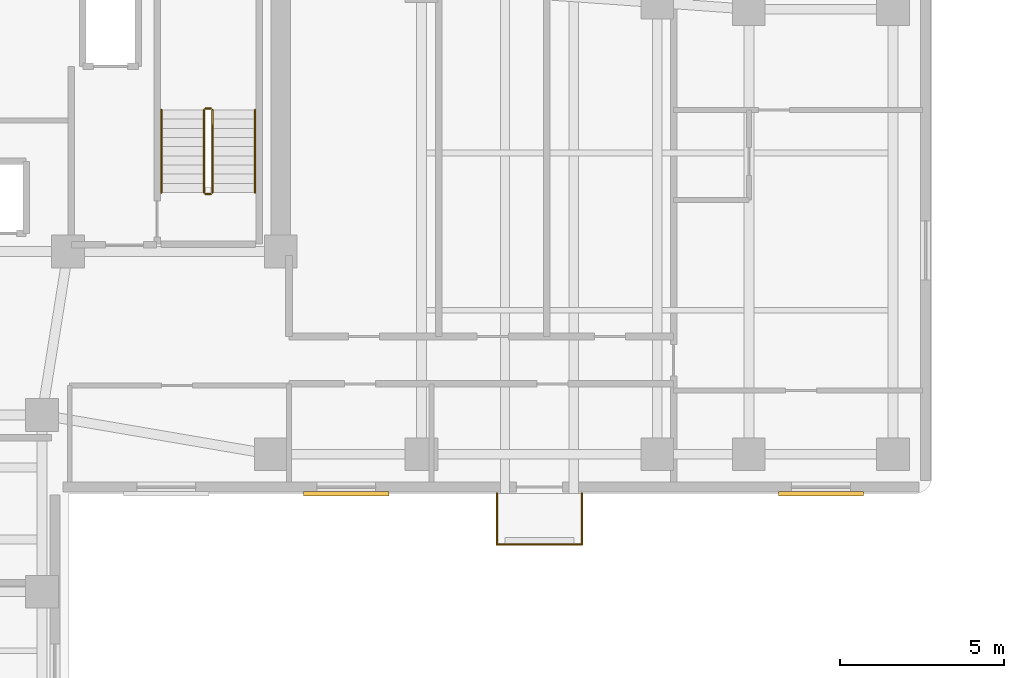
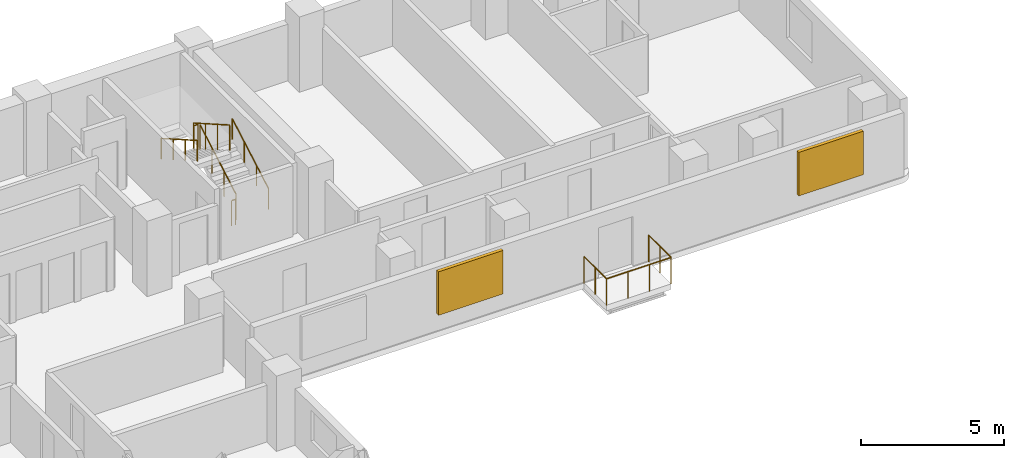
# One storey, part 7 of 8: 9 railings, 2 shading devices.
"""IFC4 building model written with IfcOpenShell, lengths in metres."""

from ifc_helpers import new_model, si_unit, direction, frame, origin, origin_2d, place, context, subcontext, project, spatial, rectangle, circle, extrude, material, layer, layer_set, type_object, element, save


model = new_model("IFC4")

# Units and contexts
model_context = context("Model", 3, precision=1e-05, world=origin(), true_north=direction((0.0, 1.0)))
body_context = subcontext(model_context, "Body", "Model", "MODEL_VIEW")
ifc_project = project(units=[si_unit("LENGTHUNIT", "METRE"), si_unit("AREAUNIT", "SQUARE_METRE"), si_unit("VOLUMEUNIT", "CUBIC_METRE"), si_unit("PLANEANGLEUNIT", "RADIAN"), si_unit("MASSUNIT", "GRAM", prefix="KILO")], contexts=[model_context])

# Site, building, storey
site_placement = place(None, origin())
site = spatial("IfcSite", under=ifc_project, at=site_placement, CompositionType="ELEMENT")
building_placement = place(site_placement, origin())
building = spatial("IfcBuilding", under=site, at=building_placement, Name="Kuzgunbayir Cultural Tower", CompositionType="ELEMENT")
storey_placement = place(building_placement, frame((0.0, 0.0, 107.39990234375)))
storey = spatial("IfcBuildingStorey", under=building, at=storey_placement, Name="L30", CompositionType="ELEMENT", Elevation=107.39990234375)

# Railings
ifc_material_1 = material(Name="Laminated Glass and Stainless Steel", Category="steel")
ifc_layer_1 = layer(ifc_material_1, 0.080078125)
ifc_layer_set_1 = layer_set([ifc_layer_1], Name="Laminated Glass and Stainless Steel")
railing_type_1 = type_object("IfcRailingType", Name="RLG-BAL-115", PredefinedType="BALUSTRADE", material=ifc_layer_set_1)
railing_1_placement = place(storey_placement, frame((33.5, 26.39990234375, 0.0)))
element("IfcRailing", 1, at=railing_1_placement, inside=storey, type_object=railing_type_1, Name="L30 Balcony Guard BAL-L30-WB2 Segment 1", PredefinedType="BALUSTRADE", context=body_context, shape_type="SweptSolid", body=[
    extrude(circle(Radius=0.02392578125, at=origin_2d()), frame((0.0, 0.0, 1.1259765625), z_axis=(0.0, -1.0, 0.0), x_axis=(1.0, 0.0, 0.0)), (0.0, 0.0, 1.0), 1.559814453125),
    extrude(circle(Radius=0.02099609375, at=origin_2d()), origin(), (0.0, 0.0, 1.0), 1.101806640625),
    extrude(circle(Radius=0.02099609375, at=origin_2d()), frame((0.0, -0.77978515625, 0.0)), (0.0, 0.0, 1.0), 1.101806640625),
    extrude(circle(Radius=0.02099609375, at=origin_2d()), frame((0.0, -1.559814453125, 0.0)), (0.0, 0.0, 1.0), 1.101806640625),
])
railing_2_placement = place(storey_placement, frame((33.5, 24.840087890625, 0.0)))
element("IfcRailing", 2, at=railing_2_placement, inside=storey, type_object=railing_type_1, Name="L30 Balcony Guard BAL-L30-WB2 Segment 2", PredefinedType="BALUSTRADE", context=body_context, shape_type="SweptSolid", body=[
    extrude(circle(Radius=0.02392578125, at=origin_2d()), frame((0.0, 0.0, 1.1259765625), z_axis=(1.0, 0.0, 0.0), x_axis=(0.0, 1.0, 0.0)), (0.0, 0.0, 1.0), 2.60009765625),
    extrude(circle(Radius=0.02099609375, at=origin_2d()), origin(), (0.0, 0.0, 1.0), 1.101806640625),
    extrude(circle(Radius=0.02099609375, at=origin_2d()), frame((0.86669921875, 0.0, 0.0)), (0.0, 0.0, 1.0), 1.101806640625),
    extrude(circle(Radius=0.02099609375, at=origin_2d()), frame((1.7333984375, 0.0, 0.0)), (0.0, 0.0, 1.0), 1.101806640625),
    extrude(circle(Radius=0.02099609375, at=origin_2d()), frame((2.60009765625, 0.0, 0.0)), (0.0, 0.0, 1.0), 1.101806640625),
])
railing_3_placement = place(storey_placement, frame((36.10009765625, 24.840087890625, 0.0)))
element("IfcRailing", 3, at=railing_3_placement, inside=storey, type_object=railing_type_1, Name="L30 Balcony Guard BAL-L30-WB2 Segment 3", PredefinedType="BALUSTRADE", context=body_context, shape_type="SweptSolid", body=[
    extrude(circle(Radius=0.02392578125, at=origin_2d()), frame((0.0, 0.0, 1.1259765625), z_axis=(0.0, 1.0, 0.0), x_axis=(-1.0, 0.0, 0.0)), (0.0, 0.0, 1.0), 1.559814453125),
    extrude(circle(Radius=0.02099609375, at=origin_2d()), origin(), (0.0, 0.0, 1.0), 1.101806640625),
    extrude(circle(Radius=0.02099609375, at=origin_2d()), frame((0.0, 0.77978515625, 0.0)), (0.0, 0.0, 1.0), 1.101806640625),
    extrude(circle(Radius=0.02099609375, at=origin_2d()), frame((0.0, 1.559814453125, 0.0)), (0.0, 0.0, 1.0), 1.101806640625),
])
ifc_material_2 = material(Name="Brushed Stainless Steel", Category="steel")
ifc_layer_2 = layer(ifc_material_2, 0.050048828125)
ifc_layer_set_2 = layer_set([ifc_layer_2], Name="Brushed Stainless Steel")
railing_type_2 = type_object("IfcRailingType", Name="RLG-STAIR-HANDRAIL", PredefinedType="HANDRAIL", material=ifc_layer_set_2)
railing_4_placement = place(storey_placement, frame((26.110107421875, 35.60009765625, 0.16015625)))
element("IfcRailing", 4, at=railing_4_placement, inside=storey, type_object=railing_type_2, Name="L30 ST-2 stair handrail 1", PredefinedType="HANDRAIL", context=body_context, shape_type="SweptSolid", body=[
    extrude(circle(Radius=0.02392578125, at=origin_2d()), frame((0.0, 0.0, 0.8759765625), z_axis=(0.0, 0.868253494771, 0.496120820787), x_axis=(-1.0, 0.0, 0.0)), (0.0, 0.0, 1.0), 2.90234375),
    extrude(circle(Radius=0.02099609375, at=origin_2d()), origin(), (0.0, 0.0, 1.0), 0.851806640625),
    extrude(circle(Radius=0.02099609375, at=origin_2d()), frame((0.0, 0.840087890625, 0.47998046875)), (0.0, 0.0, 1.0), 0.851806640625),
    extrude(circle(Radius=0.02099609375, at=origin_2d()), frame((0.0, 1.679931640625, 0.9599609375)), (0.0, 0.0, 1.0), 0.851806640625),
    extrude(circle(Radius=0.02099609375, at=origin_2d()), frame((0.0, 2.52001953125, 1.43994140625)), (0.0, 0.0, 1.0), 0.851806640625),
])
railing_5_placement = place(storey_placement, frame((23.25, 38.1201171875, 1.760009765625)))
element("IfcRailing", 5, at=railing_5_placement, inside=storey, type_object=railing_type_2, Name="L30 ST-2 stair handrail 2", PredefinedType="HANDRAIL", context=body_context, shape_type="SweptSolid", body=[
    extrude(circle(Radius=0.02392578125, at=origin_2d()), frame((0.0, 0.0, 0.8759765625), z_axis=(0.0, -0.868217259934, 0.496184229447), x_axis=(1.0, 0.0, 0.0)), (0.0, 0.0, 1.0), 2.902587890625),
    extrude(circle(Radius=0.02099609375, at=origin_2d()), origin(), (0.0, 0.0, 1.0), 0.851806640625),
    extrude(circle(Radius=0.02099609375, at=origin_2d()), frame((0.0, -0.840087890625, 0.47998046875)), (0.0, 0.0, 1.0), 0.851806640625),
    extrude(circle(Radius=0.02099609375, at=origin_2d()), frame((0.0, -1.679931640625, 0.960205078125)), (0.0, 0.0, 1.0), 0.851806640625),
    extrude(circle(Radius=0.02099609375, at=origin_2d()), frame((0.0, -2.52001953125, 1.440185546875)), (0.0, 0.0, 1.0), 0.851806640625),
])
ifc_material_3 = material(Name="Painted Steel Balustrade", Category="steel")
ifc_layer_3 = layer(ifc_material_3, 0.06005859375)
ifc_layer_set_3 = layer_set([ifc_layer_3], Name="Painted Steel Balustrade")
railing_type_3 = type_object("IfcRailingType", Name="RLG-WELL-GUARD", PredefinedType="GUARDRAIL", material=ifc_layer_set_3)
railing_6_placement = place(storey_placement, frame((24.81005859375, 35.60009765625, 0.16015625)))
element("IfcRailing", 6, at=railing_6_placement, inside=storey, type_object=railing_type_3, Name="L30 ST-2 stair guard 1", PredefinedType="GUARDRAIL", context=body_context, shape_type="SweptSolid", body=[
    extrude(circle(Radius=0.02392578125, at=origin_2d()), frame((0.0, 0.0, 1.076171875), z_axis=(0.0, 0.868253494771, 0.496120820787), x_axis=(-1.0, 0.0, 0.0)), (0.0, 0.0, 1.0), 2.90234375),
    extrude(circle(Radius=0.02099609375, at=origin_2d()), origin(), (0.0, 0.0, 1.0), 1.052001953125),
    extrude(circle(Radius=0.02099609375, at=origin_2d()), frame((0.0, 0.840087890625, 0.47998046875)), (0.0, 0.0, 1.0), 1.052001953125),
    extrude(circle(Radius=0.02099609375, at=origin_2d()), frame((0.0, 1.679931640625, 0.9599609375)), (0.0, 0.0, 1.0), 1.052001953125),
    extrude(circle(Radius=0.02099609375, at=origin_2d()), frame((0.0, 2.52001953125, 1.43994140625)), (0.0, 0.0, 1.0), 1.052001953125),
])
railing_7_placement = place(storey_placement, frame((24.760009765625, 38.169921875, 1.60009765625)))
element("IfcRailing", 7, at=railing_7_placement, inside=storey, type_object=railing_type_3, Name="L30 ST-2 stair guard 2", PredefinedType="GUARDRAIL", context=body_context, shape_type="SweptSolid", body=[
    extrude(circle(Radius=0.02392578125, at=origin_2d()), frame((0.0, 0.0, 1.076171875), z_axis=(-1.0, 0.0, 0.0), x_axis=(0.0, -1.0, 0.0)), (0.0, 0.0, 1.0), 0.159912109375),
    extrude(circle(Radius=0.02099609375, at=origin_2d()), origin(), (0.0, 0.0, 1.0), 1.052001953125),
    extrude(circle(Radius=0.02099609375, at=origin_2d()), frame((-0.159912109375, 0.0, 0.0)), (0.0, 0.0, 1.0), 1.052001953125),
])
railing_8_placement = place(storey_placement, frame((24.550048828125, 38.1201171875, 1.760009765625)))
element("IfcRailing", 8, at=railing_8_placement, inside=storey, type_object=railing_type_3, Name="L30 ST-2 stair guard 3", PredefinedType="GUARDRAIL", context=body_context, shape_type="SweptSolid", body=[
    extrude(circle(Radius=0.02392578125, at=origin_2d()), frame((0.0, 0.0, 1.076171875), z_axis=(0.0, -0.868217259934, 0.496184229447), x_axis=(1.0, 0.0, 0.0)), (0.0, 0.0, 1.0), 2.902587890625),
    extrude(circle(Radius=0.02099609375, at=origin_2d()), origin(), (0.0, 0.0, 1.0), 1.052001953125),
    extrude(circle(Radius=0.02099609375, at=origin_2d()), frame((0.0, -0.840087890625, 0.47998046875)), (0.0, 0.0, 1.0), 1.052001953125),
    extrude(circle(Radius=0.02099609375, at=origin_2d()), frame((0.0, -1.679931640625, 0.960205078125)), (0.0, 0.0, 1.0), 1.052001953125),
    extrude(circle(Radius=0.02099609375, at=origin_2d()), frame((0.0, -2.52001953125, 1.440185546875)), (0.0, 0.0, 1.0), 1.052001953125),
])
railing_9_placement = place(storey_placement, frame((24.760009765625, 35.550048828125, 0.0)))
element("IfcRailing", 9, at=railing_9_placement, inside=storey, type_object=railing_type_3, Name="L30 ST-2 stair guard 4", PredefinedType="GUARDRAIL", context=body_context, shape_type="SweptSolid", body=[
    extrude(circle(Radius=0.02392578125, at=origin_2d()), frame((0.0, 0.0, 1.076171875), z_axis=(-1.0, 0.0, 0.0), x_axis=(0.0, -1.0, 0.0)), (0.0, 0.0, 1.0), 0.159912109375),
    extrude(circle(Radius=0.02099609375, at=origin_2d()), origin(), (0.0, 0.0, 1.0), 1.052001953125),
    extrude(circle(Radius=0.02099609375, at=origin_2d()), frame((-0.159912109375, 0.0, 0.0)), (0.0, 0.0, 1.0), 1.052001953125),
])

# Shading devices
ifc_material_4 = material(Name="Perforated Bronze-Anodised Aluminium", Category="aluminium")
shading_device_type = type_object("IfcShadingDeviceType", Name="SHD-SOLAR-BRONZE", PredefinedType="JALOUSIE", material=ifc_material_4)
for number, where, z_axis, x_axis, name in (
    (10, (28.89990234375, 26.39990234375, 0.735107421875), (0.0, 0.0, 1.0), (1.0, 0.0, 0.0), "L30 Solar Screen WBS11"),
    (11, (43.39990234375, 26.39990234375, 0.735107421875), (0.0, 0.0, 1.0), (1.0, 0.0, 0.0), "L30 Solar Screen WBS12"),
):
    element("IfcShadingDevice", number, at=place(storey_placement, frame(where, z_axis=z_axis, x_axis=x_axis)), inside=storey, type_object=shading_device_type, Name=name, PredefinedType="JALOUSIE", context=body_context, shape_type="SweptSolid", body=[
        extrude(rectangle(XDim=2.60009765625, YDim=0.139892578125, at=origin_2d()), origin(), (0.0, 0.0, 1.0), 1.85009765625),
    ])

save(model, "model.ifc")
